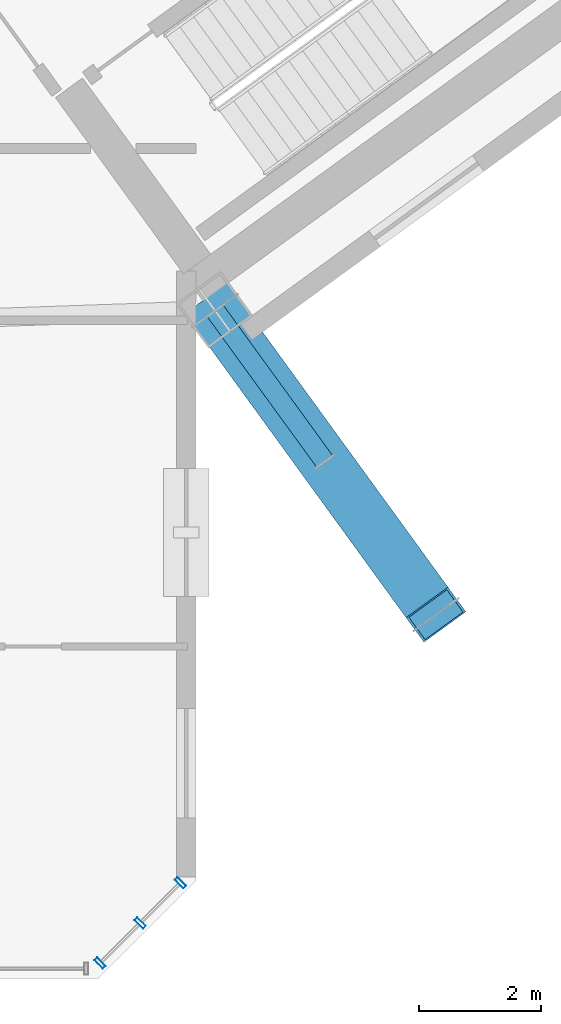
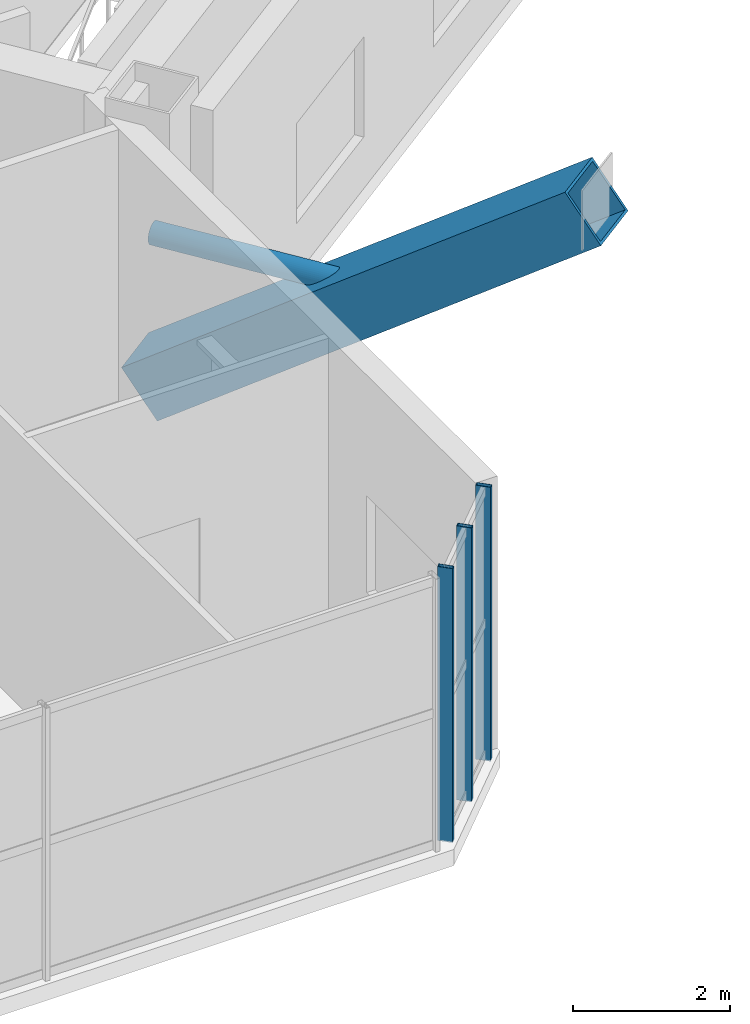
# One storey, part 10 of 32: 5 members, 1 element without a shape of its own.
"""IFC4 building model written with IfcOpenShell, lengths in metres."""

from ifc_helpers import new_model, si_unit, direction, frame, origin, origin_2d, place, context, subcontext, project, spatial, hollow_rectangle, hollow_circle, extrude, source, transform, mapped, material, material_profile, profile_set, type_object, element, aggregate, save


model = new_model("IFC4")

# Units and contexts
model_context = context("Model", 3, precision=1e-05, world=origin(), true_north=direction((0.0, 1.0)))
body_context = subcontext(model_context, "Body", "Model", "MODEL_VIEW")
ifc_project = project(units=[si_unit("LENGTHUNIT", "METRE"), si_unit("AREAUNIT", "SQUARE_METRE"), si_unit("VOLUMEUNIT", "CUBIC_METRE"), si_unit("PLANEANGLEUNIT", "RADIAN"), si_unit("MASSUNIT", "GRAM", prefix="KILO")], contexts=[model_context])

# Site, building, storey
site_placement = place(None, origin())
site = spatial("IfcSite", under=ifc_project, at=site_placement, CompositionType="ELEMENT")
building_placement = place(site_placement, origin())
building = spatial("IfcBuilding", under=site, at=building_placement, Name="Tlacorven Tower", CompositionType="ELEMENT")
storey_placement = place(building_placement, frame((0.0, 0.0, 123.300048828125)))
storey = spatial("IfcBuildingStorey", under=building, at=storey_placement, Name="L31", CompositionType="ELEMENT", Elevation=123.300048828125)

# Members
ifc_material_1 = material(Name="Steel S460M", Category="steel")
ifc_material_profile_1 = material_profile(ifc_material_1, hollow_rectangle(XDim=0.85009765625, YDim=0.85009765625, WallThickness=0.0400390625, at=origin_2d()), Name="BOX 850X850X40")
ifc_profile_set_1 = profile_set([ifc_material_profile_1], Name="Steel S460M")
member_type_1 = type_object("IfcMemberType", Name="MB-RAK-EXT", PredefinedType="STRUT", material=ifc_profile_set_1)
shared_shape_1 = source(origin(), body_context, "Body", "SweptSolid", [
    extrude(hollow_rectangle(XDim=0.85009765625, YDim=0.85009765625, WallThickness=0.0400390625, at=origin_2d()), origin(), (0.0, 0.0, 1.0), 7.62109375),
])
member_1_placement = place(storey_placement, frame((52.71484375, 12.76025390625, 0.01171875), z_axis=(0.475691676108, -0.654736782025, 0.587398651297), x_axis=(0.809018428472, 0.587783278422, 0.0)))
element("IfcMember", 1, at=member_1_placement, inside=storey, type_object=member_type_1, Name="L31 Block-Shift Raking Transfer Strut E1", PredefinedType="STRUT", context=body_context, shape_type="MappedRepresentation", body=[
    mapped(shared_shape_1, transform((0.0, 0.0, 0.0), scale=1.0)),
])
ifc_material_profile_2 = material_profile(ifc_material_1, hollow_circle(Radius=0.161865234375, WallThickness=0.01611328125, at=origin_2d()), Name="CHS 323.9X16")
ifc_profile_set_2 = profile_set([ifc_material_profile_2], Name="Steel S460M")
member_type_2 = type_object("IfcMemberType", Name="MB-SHF-BRC", PredefinedType="BRACE", material=ifc_profile_set_2)
shared_shape_2 = source(origin(), body_context, "Body", "SweptSolid", [
    extrude(hollow_circle(Radius=0.161865234375, WallThickness=0.01611328125, at=origin_2d()), origin(), (0.0, 0.0, 1.0), 3.06005859375),
])
member_2_placement = place(storey_placement, frame((52.71728515625, 12.75732421875, 2.25), z_axis=(0.587777877013, -0.809022352778, 0.0), x_axis=(0.809022352778, 0.587777877013, 0.0)))
element("IfcMember", 2, at=member_2_placement, inside=storey, type_object=member_type_2, Name="L31 Raking Strut Stabilising Web Brace E1", PredefinedType="BRACE", context=body_context, shape_type="MappedRepresentation", body=[
    mapped(shared_shape_2, transform((0.0, 0.0, 0.0), scale=1.0)),
])

# Curtain wall, members
ifc_material_2 = material(Name="Dark solar low-E double glazing in aluminium frame", Category="aluminium")
curtain_wall_type = type_object("IfcCurtainWallType", Name="CW-TWR-MID", PredefinedType="USERDEFINED", material=ifc_material_2)
curtain_wall_placement = place(storey_placement, origin())
curtain_wall = element("IfcCurtainWall", 3, at=curtain_wall_placement, inside=storey, type_object=curtain_wall_type, Name="L31 CW-TWR-MID Curtain Wall 151", ObjectType="UNITISED CURTAIN WALL", PredefinedType="USERDEFINED")
ifc_material_3 = material(Name="Aluminium 6063-T6 anodised", Category="aluminium")
ifc_material_profile_3 = material_profile(ifc_material_3, hollow_rectangle(XDim=0.06494140625, YDim=0.199951171875, WallThickness=0.00439453125, at=origin_2d()), Name="ALU MULLION 65X200")
ifc_profile_set_3 = profile_set([ifc_material_profile_3], Name="Aluminium 6063-T6 anodised")
member_type_3 = type_object("IfcMemberType", Name="CWM-02", PredefinedType="MULLION", material=ifc_profile_set_3)
shared_shape_3 = source(origin(), body_context, "Body", "SweptSolid", [
    extrude(hollow_rectangle(XDim=0.06494140625, YDim=0.199951171875, WallThickness=0.00439453125, at=origin_2d()), origin(), (0.0, 0.0, 1.0), 4.25),
])
member_3_placement = place(storey_placement, frame((52.146240234375, 3.37255859375, -0.02001953125), z_axis=(0.0, 0.0, 1.0), x_axis=(-0.707106781187, -0.707106781187, 0.0)))
member_3 = element("IfcMember", 4, at=member_3_placement, type_object=member_type_3, Name="CW-L31-151 Mullion 1", PredefinedType="MULLION", context=body_context, shape_type="MappedRepresentation", body=[
    mapped(shared_shape_3, transform((0.0, 0.0, 0.0), scale=1.0)),
])
member_4_placement = place(storey_placement, frame((51.48681640625, 2.713134765625, -0.02001953125), z_axis=(0.0, 0.0, 1.0), x_axis=(-0.707106781187, -0.707106781187, 0.0)))
member_4 = element("IfcMember", 5, at=member_4_placement, type_object=member_type_3, Name="CW-L31-151 Mullion 2", PredefinedType="MULLION", context=body_context, shape_type="MappedRepresentation", body=[
    mapped(shared_shape_3, transform((0.0, 0.0, 0.0), scale=1.0)),
])
member_5_placement = place(storey_placement, frame((50.827392578125, 2.0537109375, -0.02001953125), z_axis=(0.0, 0.0, 1.0), x_axis=(-0.707106781187, -0.707106781187, 0.0)))
member_5 = element("IfcMember", 6, at=member_5_placement, type_object=member_type_3, Name="CW-L31-151 Mullion 3", PredefinedType="MULLION", context=body_context, shape_type="MappedRepresentation", body=[
    mapped(shared_shape_3, transform((0.0, 0.0, 0.0), scale=1.0)),
])
aggregate(curtain_wall, [member_3, member_4, member_5])

save(model, "model.ifc")
